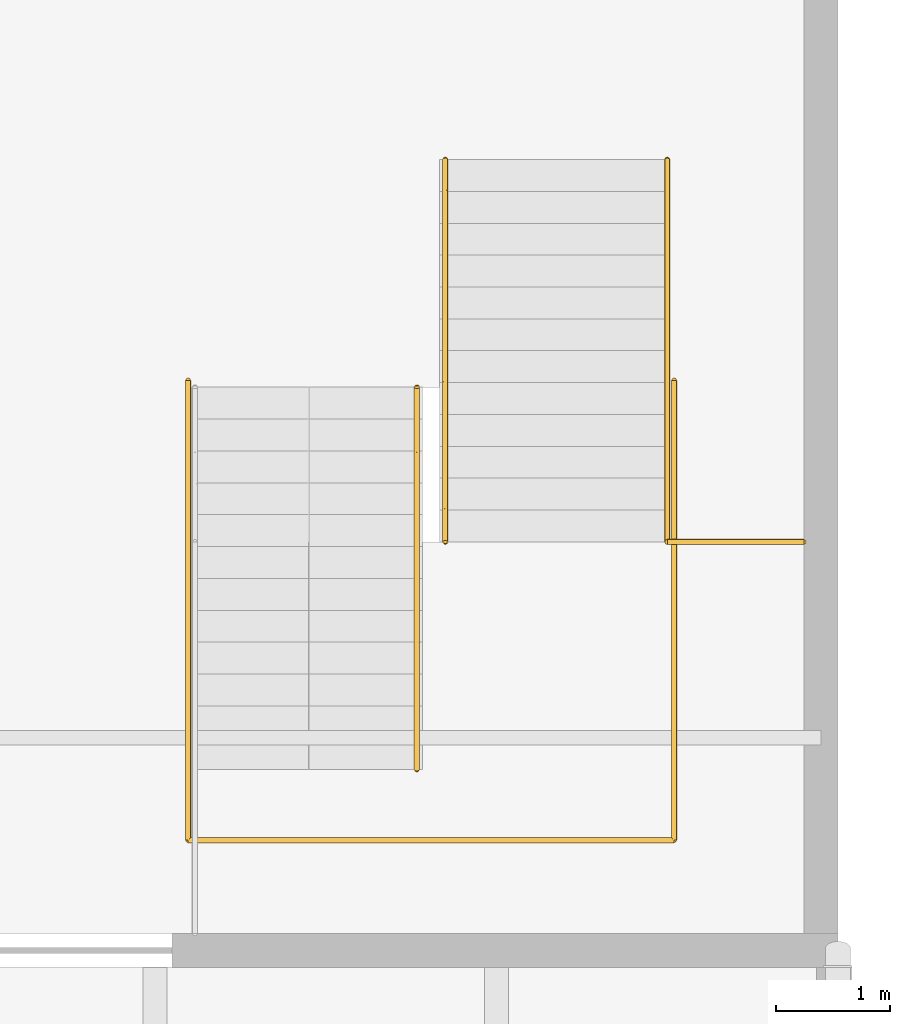
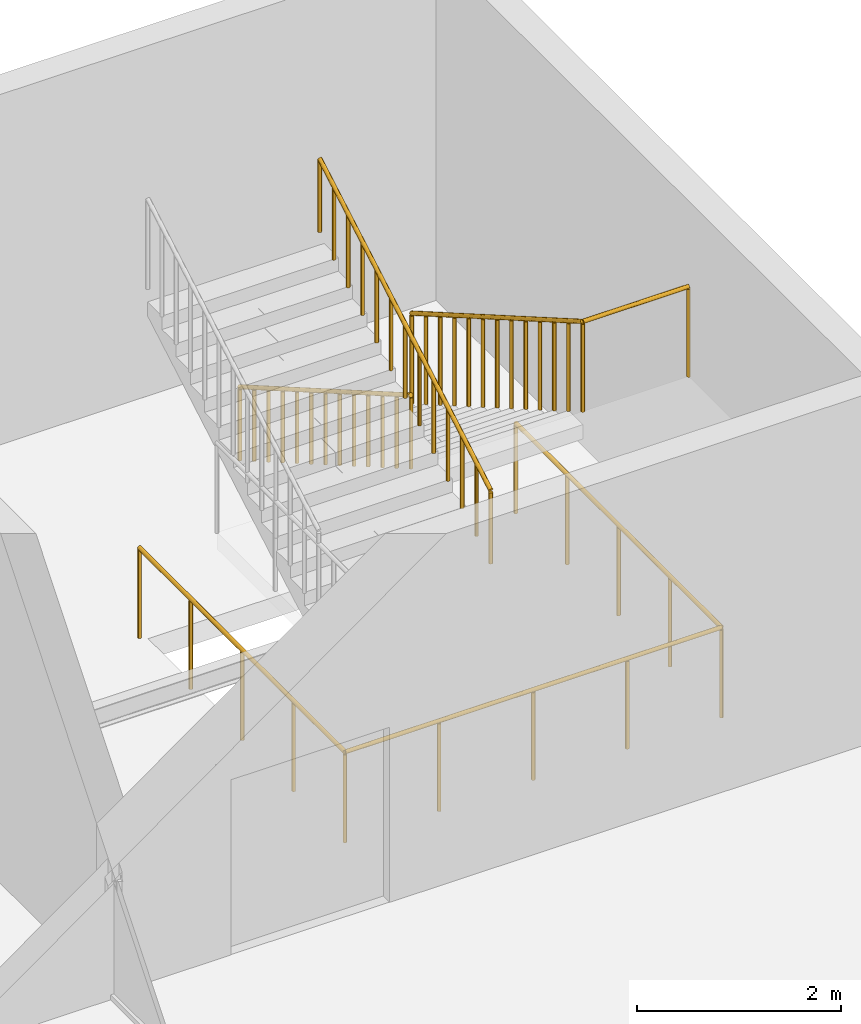
# One storey, part 57 of 57: 5 railings.
"""IFC4 building model written with IfcOpenShell, lengths in metres."""

import ifcopenshell
import ifcopenshell.guid

model = None  # the IFC model being written
_history = None  # IfcOwnerHistory: only IFC2X3 demands one
_inside = {}  # id of a spatial element -> (the spatial element, [elements in it])
_under = {}  # id of a project, library or spatial element -> (it, [spatial elements below it])
_declared = {}  # id of a project -> (the project, [libraries it declares])
_typed = {}  # id of a type object -> (the type object, [elements of that type])
_made_of = {}  # id of a material, layer set ... -> (it, [elements and type objects made of it])


def new_model(schema):
    """Start an empty IFC model of exactly this schema.

    Asked for "IFC4X3", IfcOpenShell would pick the latest addendum, in which some entities
    have other attributes; the version numbers below select the first issue.
    IFC2X3 requires an IfcOwnerHistory on every rooted entity: one is made here for all.
    """
    global model, _history
    if schema == "IFC4X3":
        model = ifcopenshell.file(schema_version=(4, 3, 0, 0))
    else:
        model = ifcopenshell.file(schema=schema)
    _inside.clear()
    _under.clear()
    _declared.clear()
    _typed.clear()
    _made_of.clear()
    _history = None
    if model.schema == "IFC2X3":
        org = make("IfcOrganization", Name="unknown")
        user = make(
            "IfcPersonAndOrganization",
            ThePerson=make("IfcPerson", FamilyName="unknown"),
            TheOrganization=org,
        )
        app = make(
            "IfcApplication",
            ApplicationDeveloper=org,
            Version="unknown",
            ApplicationFullName="unknown",
            ApplicationIdentifier="unknown",
        )
        _history = make(
            "IfcOwnerHistory",
            OwningUser=user,
            OwningApplication=app,
            ChangeAction="ADDED",
            CreationDate=0,
        )
    return model


def make(cls, **values):
    """One entity of the class cls with the attributes given. An attribute that is None is left unset."""
    return model.create_entity(
        cls, **{name: value for name, value in values.items() if value is not None}
    )


def rooted(cls, **values):
    """An entity with a GlobalId (a new one), such as an element, a storey or a relation."""
    return make(cls, GlobalId=ifcopenshell.guid.new(), OwnerHistory=_history, **values)


def si_unit(unit_type, name, prefix=None):
    """IfcSIUnit, for example si_unit("LENGTHUNIT", "METRE", prefix="MILLI")."""
    return make("IfcSIUnit", UnitType=unit_type, Prefix=prefix, Name=name)


def assignment(units):
    """IfcUnitAssignment: the units of a project."""
    return None if units is None else make("IfcUnitAssignment", Units=units)


def point(xyz):
    """IfcCartesianPoint."""
    return None if xyz is None else make("IfcCartesianPoint", Coordinates=xyz)


def direction(xyz):
    """IfcDirection."""
    return None if xyz is None else make("IfcDirection", DirectionRatios=xyz)


def frame(location, z_axis=None, x_axis=None):
    """IfcAxis2Placement3D, a coordinate frame: its origin and axes. An axis left out is left unset."""
    return make(
        "IfcAxis2Placement3D",
        Location=point(location),
        Axis=direction(z_axis),
        RefDirection=direction(x_axis),
    )


def frame_2d(location, x_axis=None):
    """IfcAxis2Placement2D, a coordinate frame in the plane: its origin and x axis."""
    return make(
        "IfcAxis2Placement2D", Location=point(location), RefDirection=direction(x_axis)
    )


def origin():
    """The frame at (0, 0, 0) with its axes left unset."""
    return frame((0.0, 0.0, 0.0))


def origin_2d():
    """The frame at (0, 0) in the plane with its x axis left unset."""
    return frame_2d((0.0, 0.0))


def place(relative_to, where):
    """IfcLocalPlacement: puts the frame where relative to a parent placement (None: the world)."""
    return make(
        "IfcLocalPlacement", PlacementRelTo=relative_to, RelativePlacement=where
    )


def context(
    kind, dimensions, precision=None, world=None, true_north=None, identifier=None
):
    """IfcGeometricRepresentationContext, for example the 3D "Model" context."""
    return make(
        "IfcGeometricRepresentationContext",
        ContextIdentifier=identifier,
        ContextType=kind,
        CoordinateSpaceDimension=dimensions,
        Precision=precision,
        WorldCoordinateSystem=world,
        TrueNorth=true_north,
    )


def subcontext(parent, identifier, kind, view, scale=None):
    """IfcGeometricRepresentationSubContext, for example "Body" below "Model"."""
    return make(
        "IfcGeometricRepresentationSubContext",
        ContextIdentifier=identifier,
        ContextType=kind,
        ParentContext=parent,
        TargetScale=scale,
        TargetView=view,
    )


def project(units=None, contexts=None):
    """IfcProject with its units and contexts."""
    return rooted(
        "IfcProject",
        Name="project",
        RepresentationContexts=contexts,
        UnitsInContext=assignment(units),
    )


def spatial(cls, under=None, at=None, **own):
    """A site, building, storey or space (cls), placed at a placement, below another one or the project."""
    s = rooted(cls, ObjectPlacement=at, **own)
    if under is not None:
        _under.setdefault(under.id(), (under, []))[1].append(s)
    return s


def profile(cls, at=None, kind="AREA", **sizes):
    """A parametric profile (cls). Its sizes go by their IFC names, for example OverallWidth=200.0."""
    return make(cls, ProfileType=kind, Position=at, **sizes)


def circle(**sizes):
    """IfcCircleProfileDef."""
    return profile("IfcCircleProfileDef", **sizes)


def extrude(swept, where, along, depth):
    """IfcExtrudedAreaSolid: the profile swept, set in the frame where, extruded along a direction by depth."""
    return make(
        "IfcExtrudedAreaSolid",
        SweptArea=swept,
        Position=where,
        ExtrudedDirection=direction(along),
        Depth=depth,
    )


def shape(context_of_items, identifier, shape_type, items):
    """IfcShapeRepresentation: the items that make up one representation, for example the "Body"."""
    return make(
        "IfcShapeRepresentation",
        ContextOfItems=context_of_items,
        RepresentationIdentifier=identifier,
        RepresentationType=shape_type,
        Items=items,
    )


def material(Name=None, Category=None):
    """IfcMaterial."""
    return make("IfcMaterial", Name=Name, Category=Category)


def made_of(thing, what):
    """Note that an element or type object is made of a material, layer set ...; save() writes the relation."""
    if what is not None:
        _made_of.setdefault(what.id(), (what, []))[1].append(thing)
    return thing


def type_object(cls, material=None, **own):
    """A type object (cls), such as IfcWallType, which elements share."""
    return made_of(rooted(cls, **own), material)


def element(
    cls,
    number,
    at=None,
    inside=None,
    cuts=None,
    type_object=None,
    material=None,
    context=None,
    identifier="Body",
    shape_type=None,
    held_by="IfcProductDefinitionShape",
    body=None,
    shapes=None,
    **own,
):
    """One element of the class cls, such as IfcWall. Its Tag is "e" and its number.

    at: its placement. inside: the storey or other place that contains it. cuts: it is an
    opening in that element (IfcRelVoidsElement). A single representation is given by context,
    identifier, shape_type and body (its items); several are given by shapes. held_by: the class
    of the entity that holds the representations. save() writes the other relations.
    """
    e = rooted(cls, Tag="e%d" % number, ObjectPlacement=at, **own)
    if body is not None:
        shapes = [shape(context, identifier, shape_type, body)]
    if shapes is not None:
        e.Representation = make(held_by, Representations=shapes)
    if inside is not None:
        _inside.setdefault(inside.id(), (inside, []))[1].append(e)
    if cuts is not None:
        rooted(
            "IfcRelVoidsElement", RelatingBuildingElement=cuts, RelatedOpeningElement=e
        )
    if type_object is not None:
        _typed.setdefault(type_object.id(), (type_object, []))[1].append(e)
    return made_of(e, material)


def aggregate(whole, parts):
    """IfcRelAggregates: a whole, such as a stair, and the parts it consists of."""
    return rooted("IfcRelAggregates", RelatingObject=whole, RelatedObjects=parts)


def save(model, path):
    """Write the relations noted so far, then the file.

    IfcRelAggregates (storeys below a building ...), IfcRelContainedInSpatialStructure (elements
    in a storey), IfcRelDefinesByType, IfcRelAssociatesMaterial and IfcRelDeclares: one each for
    every whole, place, type object, material and project.
    """
    for whole, parts in _under.values():
        aggregate(whole, parts)
    for where, things in _inside.values():
        rooted(
            "IfcRelContainedInSpatialStructure",
            RelatedElements=things,
            RelatingStructure=where,
        )
    for kind, things in _typed.values():
        rooted("IfcRelDefinesByType", RelatedObjects=things, RelatingType=kind)
    for what, things in _made_of.values():
        rooted("IfcRelAssociatesMaterial", RelatedObjects=things, RelatingMaterial=what)
    for by, libraries in _declared.values():
        rooted("IfcRelDeclares", RelatingContext=by, RelatedDefinitions=libraries)
    model.write(path)


model = new_model("IFC4")

# Units and contexts
model_context = context("Model", 3, precision=1e-05, world=origin(), true_north=direction((0.0, 1.0)))
body_context = subcontext(model_context, "Body", "Model", "MODEL_VIEW")
ifc_project = project(units=[si_unit("LENGTHUNIT", "METRE"), si_unit("AREAUNIT", "SQUARE_METRE"), si_unit("VOLUMEUNIT", "CUBIC_METRE"), si_unit("PLANEANGLEUNIT", "RADIAN"), si_unit("MASSUNIT", "GRAM", prefix="KILO")], contexts=[model_context])

# Site, building, storey
site_placement = place(None, origin())
site = spatial("IfcSite", under=ifc_project, at=site_placement, CompositionType="ELEMENT")
building_placement = place(site_placement, origin())
building = spatial("IfcBuilding", under=site, at=building_placement, Name="Halyard Row Museum", CompositionType="ELEMENT")
storey_placement = place(building_placement, frame((0.0, 0.0, 5.0)))
storey = spatial("IfcBuildingStorey", under=building, at=storey_placement, Name="L01", CompositionType="ELEMENT", Elevation=5.0)

# Railings
ifc_material_1 = material(Name="Steel Grade 300", Category="steel")
railing_type_1 = type_object("IfcRailingType", Name="Guard GR2 steel balustrade 1100", PredefinedType="GUARDRAIL", material=ifc_material_1)
railing_1_placement = place(storey_placement, frame((106.5, 61.10009765625, 0.16162109375)))
element("IfcRailing", 1, at=railing_1_placement, inside=storey, type_object=railing_type_1, Name="Guard GR120", PredefinedType="GUARDRAIL", context=body_context, shape_type="SweptSolid", body=[
    extrude(circle(Radius=0.02392578125, at=origin_2d()), frame((0.0, 0.0, 1.076171875), z_axis=(0.0, -0.866424426198, 0.49930823515), x_axis=(1.0, 0.0, 0.0)), (0.0, 0.0, 1.0), 0.3232421875),
    extrude(circle(Radius=0.02392578125, at=origin_2d()), frame((0.0, -0.280029296875, 1.2373046875), z_axis=(0.0, -0.86609757561, 0.499874973892), x_axis=(1.0, 0.0, 0.0)), (0.0, 0.0, 1.0), 0.3232421875),
    extrude(circle(Radius=0.02392578125, at=origin_2d()), frame((0.0, -0.56005859375, 1.39892578125), z_axis=(0.0, -0.86609757561, 0.499874973892), x_axis=(1.0, 0.0, 0.0)), (0.0, 0.0, 1.0), 0.3232421875),
    extrude(circle(Radius=0.02392578125, at=origin_2d()), frame((0.0, -0.840087890625, 1.560546875), z_axis=(0.0, -0.866424426198, 0.49930823515), x_axis=(1.0, 0.0, 0.0)), (0.0, 0.0, 1.0), 0.3232421875),
    extrude(circle(Radius=0.02392578125, at=origin_2d()), frame((0.0, -1.1201171875, 1.72216796875), z_axis=(0.0, -0.86609757561, 0.499874973892), x_axis=(1.0, 0.0, 0.0)), (0.0, 0.0, 1.0), 0.3232421875),
    extrude(circle(Radius=0.02392578125, at=origin_2d()), frame((0.0, -1.400146484375, 1.8837890625), z_axis=(0.0, -0.86609757561, 0.499874973892), x_axis=(1.0, 0.0, 0.0)), (0.0, 0.0, 1.0), 0.3232421875),
    extrude(circle(Radius=0.02392578125, at=origin_2d()), frame((0.0, -1.68017578125, 2.04541015625), z_axis=(0.0, -0.866424426198, 0.49930823515), x_axis=(1.0, 0.0, 0.0)), (0.0, 0.0, 1.0), 0.3232421875),
    extrude(circle(Radius=0.02392578125, at=origin_2d()), frame((0.0, -1.960205078125, 2.20654296875), z_axis=(0.0, -0.865908710228, 0.500202064721), x_axis=(1.0, 0.0, 0.0)), (0.0, 0.0, 1.0), 0.322998046875),
    extrude(circle(Radius=0.02392578125, at=origin_2d()), frame((0.0, -2.239990234375, 2.3681640625), z_axis=(0.0, -0.86609757561, 0.499874973892), x_axis=(1.0, 0.0, 0.0)), (0.0, 0.0, 1.0), 0.3232421875),
    extrude(circle(Radius=0.02392578125, at=origin_2d()), frame((0.0, -2.52001953125, 2.52978515625), z_axis=(0.0, -0.866424426198, 0.49930823515), x_axis=(1.0, 0.0, 0.0)), (0.0, 0.0, 1.0), 0.3232421875),
    extrude(circle(Radius=0.02392578125, at=origin_2d()), frame((0.0, -2.800048828125, 2.69140625), z_axis=(0.0, -0.86609757561, 0.499874973892), x_axis=(1.0, 0.0, 0.0)), (0.0, 0.0, 1.0), 0.3232421875),
    extrude(circle(Radius=0.02392578125, at=origin_2d()), frame((0.0, -3.080078125, 2.85302734375), z_axis=(0.0, -0.86609757561, 0.499874973892), x_axis=(1.0, 0.0, 0.0)), (0.0, 0.0, 1.0), 0.3232421875),
    extrude(circle(Radius=0.02099609375, at=origin_2d()), origin(), (0.0, 0.0, 1.0), 1.052001953125),
    extrude(circle(Radius=0.02099609375, at=origin_2d()), frame((0.0, -0.280029296875, 0.161376953125)), (0.0, 0.0, 1.0), 1.052001953125),
    extrude(circle(Radius=0.02099609375, at=origin_2d()), frame((0.0, -0.56005859375, 0.322998046875)), (0.0, 0.0, 1.0), 1.052001953125),
    extrude(circle(Radius=0.02099609375, at=origin_2d()), frame((0.0, -0.840087890625, 0.484619140625)), (0.0, 0.0, 1.0), 1.052001953125),
    extrude(circle(Radius=0.02099609375, at=origin_2d()), frame((0.0, -1.1201171875, 0.64599609375)), (0.0, 0.0, 1.0), 1.052001953125),
    extrude(circle(Radius=0.02099609375, at=origin_2d()), frame((0.0, -1.400146484375, 0.8076171875)), (0.0, 0.0, 1.0), 1.052001953125),
    extrude(circle(Radius=0.02099609375, at=origin_2d()), frame((0.0, -1.68017578125, 0.96923828125)), (0.0, 0.0, 1.0), 1.052001953125),
    extrude(circle(Radius=0.02099609375, at=origin_2d()), frame((0.0, -1.960205078125, 1.130615234375)), (0.0, 0.0, 1.0), 1.052001953125),
    extrude(circle(Radius=0.02099609375, at=origin_2d()), frame((0.0, -2.239990234375, 1.292236328125)), (0.0, 0.0, 1.0), 1.052001953125),
    extrude(circle(Radius=0.02099609375, at=origin_2d()), frame((0.0, -2.52001953125, 1.453857421875)), (0.0, 0.0, 1.0), 1.052001953125),
    extrude(circle(Radius=0.02099609375, at=origin_2d()), frame((0.0, -2.800048828125, 1.615234375)), (0.0, 0.0, 1.0), 1.052001953125),
    extrude(circle(Radius=0.02099609375, at=origin_2d()), frame((0.0, -3.080078125, 1.77685546875)), (0.0, 0.0, 1.0), 1.052001953125),
    extrude(circle(Radius=0.02099609375, at=origin_2d()), frame((0.0, -3.360107421875, 1.9384765625)), (0.0, 0.0, 1.0), 1.052001953125),
])
railing_2_placement = place(storey_placement, frame((107.699951171875, 57.739990234375, 2.10009765625)))
element("IfcRailing", 2, at=railing_2_placement, inside=storey, type_object=railing_type_1, Name="Guard GR122", PredefinedType="GUARDRAIL", context=body_context, shape_type="SweptSolid", body=[
    extrude(circle(Radius=0.02392578125, at=origin_2d()), frame((0.0, 0.0, 1.076171875), z_axis=(-1.0, 0.0, 0.0), x_axis=(0.0, -1.0, 0.0)), (0.0, 0.0, 1.0), 1.199951171875),
    extrude(circle(Radius=0.02099609375, at=origin_2d()), origin(), (0.0, 0.0, 1.0), 1.052001953125),
    extrude(circle(Radius=0.02099609375, at=origin_2d()), frame((-1.199951171875, 0.0, 0.0)), (0.0, 0.0, 1.0), 1.052001953125),
])
railing_3_placement = place(storey_placement, frame((106.56005859375, 59.159912109375, 0.0)))
element("IfcRailing", 3, at=railing_3_placement, inside=storey, type_object=railing_type_1, Name="Guard GR186", PredefinedType="GUARDRAIL", context=body_context, shape_type="SweptSolid", body=[
    extrude(circle(Radius=0.02392578125, at=origin_2d()), frame((0.0, 0.0, 1.076171875), z_axis=(0.0, -1.0, 0.0), x_axis=(1.0, 0.0, 0.0)), (0.0, 0.0, 1.0), 4.039794921875),
    extrude(circle(Radius=0.02392578125, at=origin_2d()), frame((0.0, -4.039794921875, 1.076171875), z_axis=(-1.0, 0.0, 0.0), x_axis=(0.0, -1.0, 0.0)), (0.0, 0.0, 1.0), 4.27001953125),
    extrude(circle(Radius=0.02392578125, at=origin_2d()), frame((-4.27001953125, -4.039794921875, 1.076171875), z_axis=(0.0, 1.0, 0.0), x_axis=(-1.0, 0.0, 0.0)), (0.0, 0.0, 1.0), 4.039794921875),
    extrude(circle(Radius=0.02099609375, at=origin_2d()), origin(), (0.0, 0.0, 1.0), 1.052001953125),
    extrude(circle(Radius=0.02099609375, at=origin_2d()), frame((0.0, -1.010009765625, 0.0)), (0.0, 0.0, 1.0), 1.052001953125),
    extrude(circle(Radius=0.02099609375, at=origin_2d()), frame((0.0, -2.02001953125, 0.0)), (0.0, 0.0, 1.0), 1.052001953125),
    extrude(circle(Radius=0.02099609375, at=origin_2d()), frame((0.0, -3.02978515625, 0.0)), (0.0, 0.0, 1.0), 1.052001953125),
    extrude(circle(Radius=0.02099609375, at=origin_2d()), frame((0.0, -4.039794921875, 0.0)), (0.0, 0.0, 1.0), 1.052001953125),
    extrude(circle(Radius=0.02099609375, at=origin_2d()), frame((-1.0673828125, -4.039794921875, 0.0)), (0.0, 0.0, 1.0), 1.052001953125),
    extrude(circle(Radius=0.02099609375, at=origin_2d()), frame((-2.135009765625, -4.039794921875, 0.0)), (0.0, 0.0, 1.0), 1.052001953125),
    extrude(circle(Radius=0.02099609375, at=origin_2d()), frame((-3.20263671875, -4.039794921875, 0.0)), (0.0, 0.0, 1.0), 1.052001953125),
    extrude(circle(Radius=0.02099609375, at=origin_2d()), frame((-4.27001953125, -4.039794921875, 0.0)), (0.0, 0.0, 1.0), 1.052001953125),
    extrude(circle(Radius=0.02099609375, at=origin_2d()), frame((-4.27001953125, -3.02978515625, 0.0)), (0.0, 0.0, 1.0), 1.052001953125),
    extrude(circle(Radius=0.02099609375, at=origin_2d()), frame((-4.27001953125, -2.02001953125, 0.0)), (0.0, 0.0, 1.0), 1.052001953125),
    extrude(circle(Radius=0.02099609375, at=origin_2d()), frame((-4.27001953125, -1.010009765625, 0.0)), (0.0, 0.0, 1.0), 1.052001953125),
    extrude(circle(Radius=0.02099609375, at=origin_2d()), frame((-4.27001953125, 0.0, 0.0)), (0.0, 0.0, 1.0), 1.052001953125),
])
ifc_material_2 = material(Name="Steel Grade 300", Category="steel")
railing_type_2 = type_object("IfcRailingType", Name="Handrail HR2 steel 900", PredefinedType="HANDRAIL", material=ifc_material_2)
railing_4_placement = place(storey_placement, frame((104.550048828125, 61.10009765625, 0.16162109375)))
element("IfcRailing", 4, at=railing_4_placement, inside=storey, type_object=railing_type_2, Name="Handrail HR147", PredefinedType="HANDRAIL", context=body_context, shape_type="SweptSolid", body=[
    extrude(circle(Radius=0.02392578125, at=origin_2d()), frame((0.0, 0.0, 0.8759765625), z_axis=(0.0, -0.866424426198, 0.49930823515), x_axis=(1.0, 0.0, 0.0)), (0.0, 0.0, 1.0), 0.3232421875),
    extrude(circle(Radius=0.02392578125, at=origin_2d()), frame((0.0, -0.280029296875, 1.037109375), z_axis=(0.0, -0.86609757561, 0.499874973892), x_axis=(1.0, 0.0, 0.0)), (0.0, 0.0, 1.0), 0.3232421875),
    extrude(circle(Radius=0.02392578125, at=origin_2d()), frame((0.0, -0.56005859375, 1.19873046875), z_axis=(0.0, -0.86609757561, 0.499874973892), x_axis=(1.0, 0.0, 0.0)), (0.0, 0.0, 1.0), 0.3232421875),
    extrude(circle(Radius=0.02392578125, at=origin_2d()), frame((0.0, -0.840087890625, 1.3603515625), z_axis=(0.0, -0.866424426198, 0.49930823515), x_axis=(1.0, 0.0, 0.0)), (0.0, 0.0, 1.0), 0.3232421875),
    extrude(circle(Radius=0.02392578125, at=origin_2d()), frame((0.0, -1.1201171875, 1.52197265625), z_axis=(0.0, -0.86609757561, 0.499874973892), x_axis=(1.0, 0.0, 0.0)), (0.0, 0.0, 1.0), 0.3232421875),
    extrude(circle(Radius=0.02392578125, at=origin_2d()), frame((0.0, -1.400146484375, 1.68359375), z_axis=(0.0, -0.86609757561, 0.499874973892), x_axis=(1.0, 0.0, 0.0)), (0.0, 0.0, 1.0), 0.3232421875),
    extrude(circle(Radius=0.02392578125, at=origin_2d()), frame((0.0, -1.68017578125, 1.84521484375), z_axis=(0.0, -0.866424426198, 0.49930823515), x_axis=(1.0, 0.0, 0.0)), (0.0, 0.0, 1.0), 0.3232421875),
    extrude(circle(Radius=0.02392578125, at=origin_2d()), frame((0.0, -1.960205078125, 2.00634765625), z_axis=(0.0, -0.865908710228, 0.500202064721), x_axis=(1.0, 0.0, 0.0)), (0.0, 0.0, 1.0), 0.322998046875),
    extrude(circle(Radius=0.02392578125, at=origin_2d()), frame((0.0, -2.239990234375, 2.16796875), z_axis=(0.0, -0.86609757561, 0.499874973892), x_axis=(1.0, 0.0, 0.0)), (0.0, 0.0, 1.0), 0.3232421875),
    extrude(circle(Radius=0.02392578125, at=origin_2d()), frame((0.0, -2.52001953125, 2.32958984375), z_axis=(0.0, -0.866424426198, 0.49930823515), x_axis=(1.0, 0.0, 0.0)), (0.0, 0.0, 1.0), 0.3232421875),
    extrude(circle(Radius=0.02392578125, at=origin_2d()), frame((0.0, -2.800048828125, 2.4912109375), z_axis=(0.0, -0.86609757561, 0.499874973892), x_axis=(1.0, 0.0, 0.0)), (0.0, 0.0, 1.0), 0.3232421875),
    extrude(circle(Radius=0.02392578125, at=origin_2d()), frame((0.0, -3.080078125, 2.65283203125), z_axis=(0.0, -0.86609757561, 0.499874973892), x_axis=(1.0, 0.0, 0.0)), (0.0, 0.0, 1.0), 0.3232421875),
    extrude(circle(Radius=0.02099609375, at=origin_2d()), origin(), (0.0, 0.0, 1.0), 0.851806640625),
    extrude(circle(Radius=0.02099609375, at=origin_2d()), frame((0.0, -0.280029296875, 0.161376953125)), (0.0, 0.0, 1.0), 0.851806640625),
    extrude(circle(Radius=0.02099609375, at=origin_2d()), frame((0.0, -0.56005859375, 0.322998046875)), (0.0, 0.0, 1.0), 0.851806640625),
    extrude(circle(Radius=0.02099609375, at=origin_2d()), frame((0.0, -0.840087890625, 0.484619140625)), (0.0, 0.0, 1.0), 0.851806640625),
    extrude(circle(Radius=0.02099609375, at=origin_2d()), frame((0.0, -1.1201171875, 0.64599609375)), (0.0, 0.0, 1.0), 0.851806640625),
    extrude(circle(Radius=0.02099609375, at=origin_2d()), frame((0.0, -1.400146484375, 0.8076171875)), (0.0, 0.0, 1.0), 0.851806640625),
    extrude(circle(Radius=0.02099609375, at=origin_2d()), frame((0.0, -1.68017578125, 0.96923828125)), (0.0, 0.0, 1.0), 0.851806640625),
    extrude(circle(Radius=0.02099609375, at=origin_2d()), frame((0.0, -1.960205078125, 1.130615234375)), (0.0, 0.0, 1.0), 0.851806640625),
    extrude(circle(Radius=0.02099609375, at=origin_2d()), frame((0.0, -2.239990234375, 1.292236328125)), (0.0, 0.0, 1.0), 0.851806640625),
    extrude(circle(Radius=0.02099609375, at=origin_2d()), frame((0.0, -2.52001953125, 1.453857421875)), (0.0, 0.0, 1.0), 0.851806640625),
    extrude(circle(Radius=0.02099609375, at=origin_2d()), frame((0.0, -2.800048828125, 1.615234375)), (0.0, 0.0, 1.0), 0.851806640625),
    extrude(circle(Radius=0.02099609375, at=origin_2d()), frame((0.0, -3.080078125, 1.77685546875)), (0.0, 0.0, 1.0), 0.851806640625),
    extrude(circle(Radius=0.02099609375, at=origin_2d()), frame((0.0, -3.360107421875, 1.9384765625)), (0.0, 0.0, 1.0), 0.851806640625),
])
railing_5_placement = place(storey_placement, frame((104.300048828125, 55.739990234375, 2.261474609375)))
element("IfcRailing", 5, at=railing_5_placement, inside=storey, type_object=railing_type_2, Name="Handrail HR148", PredefinedType="HANDRAIL", context=body_context, shape_type="SweptSolid", body=[
    extrude(circle(Radius=0.02392578125, at=origin_2d()), frame((0.0, 0.0, 0.8759765625), z_axis=(0.0, 0.86609757561, 0.499874973892), x_axis=(-1.0, 0.0, 0.0)), (0.0, 0.0, 1.0), 0.3232421875),
    extrude(circle(Radius=0.02392578125, at=origin_2d()), frame((0.0, 0.280029296875, 1.03759765625), z_axis=(0.0, 0.86609757561, 0.499874973892), x_axis=(-1.0, 0.0, 0.0)), (0.0, 0.0, 1.0), 0.3232421875),
    extrude(circle(Radius=0.02392578125, at=origin_2d()), frame((0.0, 0.56005859375, 1.19921875), z_axis=(0.0, 0.866424426198, 0.49930823515), x_axis=(-1.0, 0.0, 0.0)), (0.0, 0.0, 1.0), 0.3232421875),
    extrude(circle(Radius=0.02392578125, at=origin_2d()), frame((0.0, 0.840087890625, 1.3603515625), z_axis=(0.0, 0.86609757561, 0.499874973892), x_axis=(-1.0, 0.0, 0.0)), (0.0, 0.0, 1.0), 0.3232421875),
    extrude(circle(Radius=0.02392578125, at=origin_2d()), frame((0.0, 1.1201171875, 1.52197265625), z_axis=(0.0, 0.865908710228, 0.500202064721), x_axis=(-1.0, 0.0, 0.0)), (0.0, 0.0, 1.0), 0.322998046875),
    extrude(circle(Radius=0.02392578125, at=origin_2d()), frame((0.0, 1.39990234375, 1.68359375), z_axis=(0.0, 0.866424426198, 0.49930823515), x_axis=(-1.0, 0.0, 0.0)), (0.0, 0.0, 1.0), 0.3232421875),
    extrude(circle(Radius=0.02392578125, at=origin_2d()), frame((0.0, 1.679931640625, 1.84521484375), z_axis=(0.0, 0.86609757561, 0.499874973892), x_axis=(-1.0, 0.0, 0.0)), (0.0, 0.0, 1.0), 0.3232421875),
    extrude(circle(Radius=0.02392578125, at=origin_2d()), frame((0.0, 1.9599609375, 2.0068359375), z_axis=(0.0, 0.86609757561, 0.499874973892), x_axis=(-1.0, 0.0, 0.0)), (0.0, 0.0, 1.0), 0.3232421875),
    extrude(circle(Radius=0.02392578125, at=origin_2d()), frame((0.0, 2.239990234375, 2.16845703125), z_axis=(0.0, 0.866424426198, 0.49930823515), x_axis=(-1.0, 0.0, 0.0)), (0.0, 0.0, 1.0), 0.3232421875),
    extrude(circle(Radius=0.02392578125, at=origin_2d()), frame((0.0, 2.52001953125, 2.32958984375), z_axis=(0.0, 0.86609757561, 0.499874973892), x_axis=(-1.0, 0.0, 0.0)), (0.0, 0.0, 1.0), 0.3232421875),
    extrude(circle(Radius=0.02392578125, at=origin_2d()), frame((0.0, 2.800048828125, 2.4912109375), z_axis=(0.0, 0.86609757561, 0.499874973892), x_axis=(-1.0, 0.0, 0.0)), (0.0, 0.0, 1.0), 0.3232421875),
    extrude(circle(Radius=0.02392578125, at=origin_2d()), frame((0.0, 3.080078125, 2.65283203125), z_axis=(0.0, 0.866424426198, 0.49930823515), x_axis=(-1.0, 0.0, 0.0)), (0.0, 0.0, 1.0), 0.3232421875),
    extrude(circle(Radius=0.02099609375, at=origin_2d()), origin(), (0.0, 0.0, 1.0), 0.851806640625),
    extrude(circle(Radius=0.02099609375, at=origin_2d()), frame((0.0, 0.280029296875, 0.16162109375)), (0.0, 0.0, 1.0), 0.851806640625),
    extrude(circle(Radius=0.02099609375, at=origin_2d()), frame((0.0, 0.56005859375, 0.3232421875)), (0.0, 0.0, 1.0), 0.851806640625),
    extrude(circle(Radius=0.02099609375, at=origin_2d()), frame((0.0, 0.840087890625, 0.484619140625)), (0.0, 0.0, 1.0), 0.851806640625),
    extrude(circle(Radius=0.02099609375, at=origin_2d()), frame((0.0, 1.1201171875, 0.646240234375)), (0.0, 0.0, 1.0), 0.851806640625),
    extrude(circle(Radius=0.02099609375, at=origin_2d()), frame((0.0, 1.39990234375, 0.807861328125)), (0.0, 0.0, 1.0), 0.851806640625),
    extrude(circle(Radius=0.02099609375, at=origin_2d()), frame((0.0, 1.679931640625, 0.96923828125)), (0.0, 0.0, 1.0), 0.851806640625),
    extrude(circle(Radius=0.02099609375, at=origin_2d()), frame((0.0, 1.9599609375, 1.130859375)), (0.0, 0.0, 1.0), 0.851806640625),
    extrude(circle(Radius=0.02099609375, at=origin_2d()), frame((0.0, 2.239990234375, 1.29248046875)), (0.0, 0.0, 1.0), 0.851806640625),
    extrude(circle(Radius=0.02099609375, at=origin_2d()), frame((0.0, 2.52001953125, 1.453857421875)), (0.0, 0.0, 1.0), 0.851806640625),
    extrude(circle(Radius=0.02099609375, at=origin_2d()), frame((0.0, 2.800048828125, 1.615478515625)), (0.0, 0.0, 1.0), 0.851806640625),
    extrude(circle(Radius=0.02099609375, at=origin_2d()), frame((0.0, 3.080078125, 1.777099609375)), (0.0, 0.0, 1.0), 0.851806640625),
    extrude(circle(Radius=0.02099609375, at=origin_2d()), frame((0.0, 3.360107421875, 1.9384765625)), (0.0, 0.0, 1.0), 0.851806640625),
])

save(model, "model.ifc")
